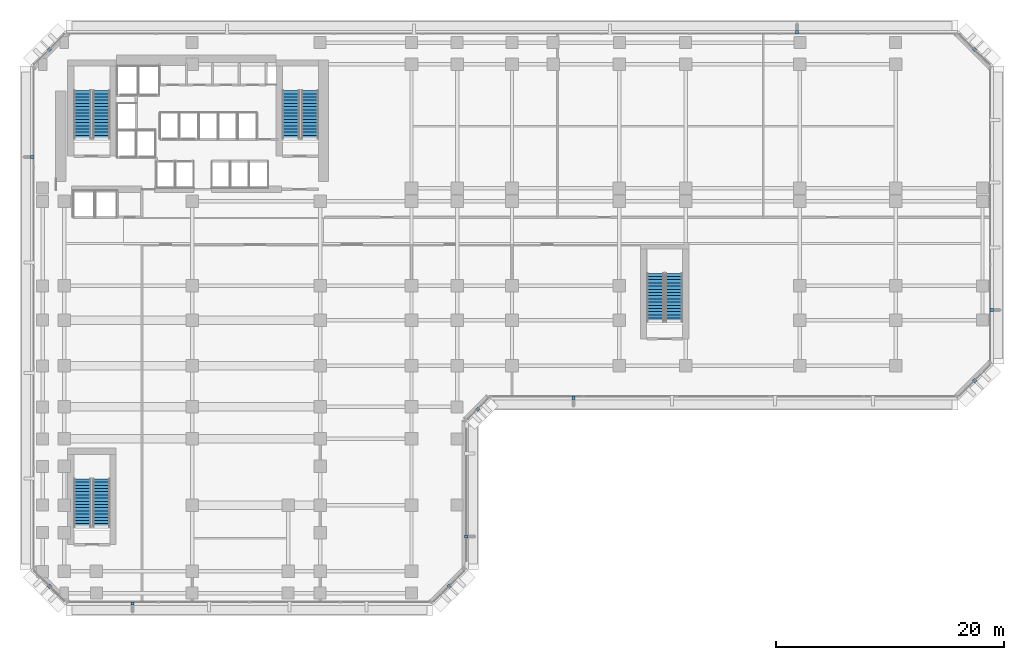
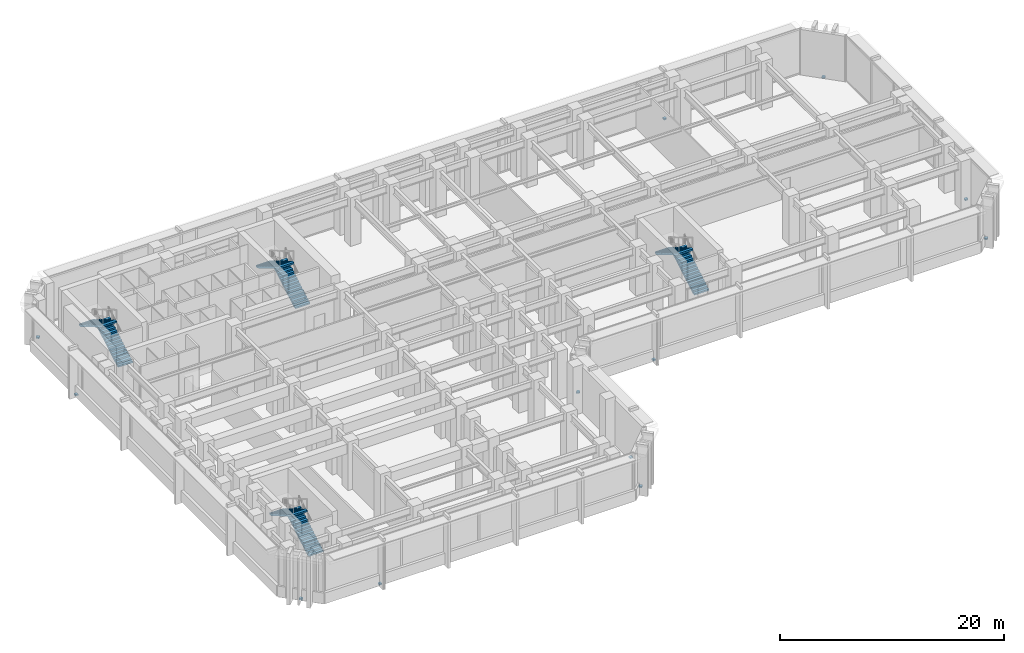
# One storey, part 12 of 20: 12 discrete accessories, 8 stair flights, 4 elements without a shape of their own.
"""IFC4 building model written with IfcOpenShell, lengths in metres."""

from ifc_helpers import new_model, si_unit, direction, frame, origin, origin_2d, place, context, subcontext, project, spatial, polyline, rectangle, outline, extrude, material, layer, layer_set, type_object, element, aggregate, save


model = new_model("IFC4")

# Units and contexts
model_context = context("Model", 3, precision=1e-05, world=origin(), true_north=direction((0.0, 1.0)))
body_context = subcontext(model_context, "Body", "Model", "MODEL_VIEW")
ifc_project = project(units=[si_unit("LENGTHUNIT", "METRE"), si_unit("AREAUNIT", "SQUARE_METRE"), si_unit("VOLUMEUNIT", "CUBIC_METRE"), si_unit("PLANEANGLEUNIT", "RADIAN"), si_unit("MASSUNIT", "GRAM", prefix="KILO")], contexts=[model_context])

# Site, building, storey
site_placement = place(None, origin())
site = spatial("IfcSite", under=ifc_project, at=site_placement, CompositionType="ELEMENT")
building_placement = place(site_placement, origin())
building = spatial("IfcBuilding", under=site, at=building_placement, Name="Kefirva Bronze Tower", CompositionType="ELEMENT")
storey_placement = place(building_placement, frame((0.0, 0.0, 5.93994140625)))
storey = spatial("IfcBuildingStorey", under=building, at=storey_placement, Name="L01", CompositionType="ELEMENT", Elevation=5.93994140625)

# Stair, stair flights
ifc_material_1 = material(Name="Concrete C40/50", Category="concrete")
stair_type = type_object("IfcStairType", Name="RC Dogleg Protected Stair 32R", PredefinedType="HALF_TURN_STAIR", material=ifc_material_1)
stair_1_placement = place(storey_placement, origin())
stair_1 = element("IfcStair", 1, at=stair_1_placement, inside=storey, type_object=stair_type, Name="L01 Protected Exit Stair 1", PredefinedType="HALF_TURN_STAIR")
stair_flight_type = type_object("IfcStairFlightType", Name="RC Straight Stair Flight 32R", PredefinedType="STRAIGHT", material=ifc_material_1)
stair_flight_1_placement = place(storey_placement, frame((4.050048828125, 38.699951171875, 0.0), z_axis=(0.0, 0.0, 1.0), x_axis=(0.0, 1.0, 0.0)))
stair_flight_1 = element("IfcStairFlight", 2, at=stair_flight_1_placement, type_object=stair_flight_type, Name="ST-1 flight 1", NumberOfRisers=16, NumberOfTreads=15, PredefinedType="STRAIGHT", RiserHeight=0.165, TreadLength=0.28, context=body_context, shape_type="SweptSolid", body=[
    extrude(outline(polyline([(0.0, 0.0), (0.0, 0.1650390625), (0.280029296875, 0.1650390625), (0.280029296875, 0.330078125), (0.56005859375, 0.330078125), (0.56005859375, 0.4951171875), (0.840087890625, 0.4951171875), (0.840087890625, 0.659912109375), (1.1201171875, 0.659912109375), (1.1201171875, 0.824951171875), (1.39990234375, 0.824951171875), (1.39990234375, 0.989990234375), (1.679931640625, 0.989990234375), (1.679931640625, 1.155029296875), (1.9599609375, 1.155029296875), (1.9599609375, 1.320068359375), (2.239990234375, 1.320068359375), (2.239990234375, 1.485107421875), (2.52001953125, 1.485107421875), (2.52001953125, 1.64990234375), (2.800048828125, 1.64990234375), (2.800048828125, 1.81494140625), (3.080078125, 1.81494140625), (3.080078125, 1.97998046875), (3.360107421875, 1.97998046875), (3.360107421875, 2.14501953125), (3.639892578125, 2.14501953125), (3.639892578125, 2.31005859375), (3.919921875, 2.31005859375), (3.919921875, 2.47509765625), (4.199951171875, 2.47509765625), (4.199951171875, 2.639892578125), (4.199951171875, 2.301025390625), (0.295166015625, 0.0), (0.0, 0.0)])), frame((0.0, 0.75, 0.0), z_axis=(0.0, -1.0, 0.0), x_axis=(1.0, 0.0, 0.0)), (0.0, 0.0, 1.0), 1.5),
])
stair_flight_2_placement = place(storey_placement, frame((2.39990234375, 42.89990234375, 2.64013671875), z_axis=(0.0, 0.0, 1.0), x_axis=(0.0, -1.0, 0.0)))
stair_flight_2 = element("IfcStairFlight", 3, at=stair_flight_2_placement, type_object=stair_flight_type, Name="ST-1 flight 2", NumberOfRisers=16, NumberOfTreads=15, PredefinedType="STRAIGHT", RiserHeight=0.165, TreadLength=0.28, context=body_context, shape_type="SweptSolid", body=[
    extrude(outline(polyline([(0.0, 0.0), (0.0, 0.1650390625), (0.280029296875, 0.1650390625), (0.280029296875, 0.330078125), (0.56005859375, 0.330078125), (0.56005859375, 0.4951171875), (0.840087890625, 0.4951171875), (0.840087890625, 0.659912109375), (1.1201171875, 0.659912109375), (1.1201171875, 0.824951171875), (1.39990234375, 0.824951171875), (1.39990234375, 0.989990234375), (1.679931640625, 0.989990234375), (1.679931640625, 1.155029296875), (1.9599609375, 1.155029296875), (1.9599609375, 1.320068359375), (2.239990234375, 1.320068359375), (2.239990234375, 1.485107421875), (2.52001953125, 1.485107421875), (2.52001953125, 1.64990234375), (2.800048828125, 1.64990234375), (2.800048828125, 1.81494140625), (3.080078125, 1.81494140625), (3.080078125, 1.97998046875), (3.360107421875, 1.97998046875), (3.360107421875, 2.14501953125), (3.639892578125, 2.14501953125), (3.639892578125, 2.31005859375), (3.919921875, 2.31005859375), (3.919921875, 2.47509765625), (4.199951171875, 2.47509765625), (4.199951171875, 2.639892578125), (4.199951171875, 2.301025390625), (0.295166015625, 0.0), (0.0, 0.0)])), frame((0.0, 0.75, 0.0), z_axis=(0.0, -1.0, 0.0), x_axis=(1.0, 0.0, 0.0)), (0.0, 0.0, 1.0), 1.5),
])
aggregate(stair_1, [stair_flight_1, stair_flight_2])

stair_2_placement = place(storey_placement, origin())
stair_2 = element("IfcStair", 4, at=stair_2_placement, inside=storey, type_object=stair_type, Name="L01 Protected Exit Stair 2", PredefinedType="HALF_TURN_STAIR")
stair_flight_3_placement = place(storey_placement, frame((22.300048828125, 38.699951171875, 0.0), z_axis=(0.0, 0.0, 1.0), x_axis=(0.0, 1.0, 0.0)))
stair_flight_3 = element("IfcStairFlight", 5, at=stair_flight_3_placement, type_object=stair_flight_type, Name="ST-2 flight 1", NumberOfRisers=16, NumberOfTreads=15, PredefinedType="STRAIGHT", RiserHeight=0.165, TreadLength=0.28, context=body_context, shape_type="SweptSolid", body=[
    extrude(outline(polyline([(0.0, 0.0), (0.0, 0.1650390625), (0.280029296875, 0.1650390625), (0.280029296875, 0.330078125), (0.56005859375, 0.330078125), (0.56005859375, 0.4951171875), (0.840087890625, 0.4951171875), (0.840087890625, 0.659912109375), (1.1201171875, 0.659912109375), (1.1201171875, 0.824951171875), (1.39990234375, 0.824951171875), (1.39990234375, 0.989990234375), (1.679931640625, 0.989990234375), (1.679931640625, 1.155029296875), (1.9599609375, 1.155029296875), (1.9599609375, 1.320068359375), (2.239990234375, 1.320068359375), (2.239990234375, 1.485107421875), (2.52001953125, 1.485107421875), (2.52001953125, 1.64990234375), (2.800048828125, 1.64990234375), (2.800048828125, 1.81494140625), (3.080078125, 1.81494140625), (3.080078125, 1.97998046875), (3.360107421875, 1.97998046875), (3.360107421875, 2.14501953125), (3.639892578125, 2.14501953125), (3.639892578125, 2.31005859375), (3.919921875, 2.31005859375), (3.919921875, 2.47509765625), (4.199951171875, 2.47509765625), (4.199951171875, 2.639892578125), (4.199951171875, 2.301025390625), (0.295166015625, 0.0), (0.0, 0.0)])), frame((0.0, 0.75, 0.0), z_axis=(0.0, -1.0, 0.0), x_axis=(1.0, 0.0, 0.0)), (0.0, 0.0, 1.0), 1.5),
])
stair_flight_4_placement = place(storey_placement, frame((20.64990234375, 42.89990234375, 2.64013671875), z_axis=(0.0, 0.0, 1.0), x_axis=(0.0, -1.0, 0.0)))
stair_flight_4 = element("IfcStairFlight", 6, at=stair_flight_4_placement, type_object=stair_flight_type, Name="ST-2 flight 2", NumberOfRisers=16, NumberOfTreads=15, PredefinedType="STRAIGHT", RiserHeight=0.165, TreadLength=0.28, context=body_context, shape_type="SweptSolid", body=[
    extrude(outline(polyline([(0.0, 0.0), (0.0, 0.1650390625), (0.280029296875, 0.1650390625), (0.280029296875, 0.330078125), (0.56005859375, 0.330078125), (0.56005859375, 0.4951171875), (0.840087890625, 0.4951171875), (0.840087890625, 0.659912109375), (1.1201171875, 0.659912109375), (1.1201171875, 0.824951171875), (1.39990234375, 0.824951171875), (1.39990234375, 0.989990234375), (1.679931640625, 0.989990234375), (1.679931640625, 1.155029296875), (1.9599609375, 1.155029296875), (1.9599609375, 1.320068359375), (2.239990234375, 1.320068359375), (2.239990234375, 1.485107421875), (2.52001953125, 1.485107421875), (2.52001953125, 1.64990234375), (2.800048828125, 1.64990234375), (2.800048828125, 1.81494140625), (3.080078125, 1.81494140625), (3.080078125, 1.97998046875), (3.360107421875, 1.97998046875), (3.360107421875, 2.14501953125), (3.639892578125, 2.14501953125), (3.639892578125, 2.31005859375), (3.919921875, 2.31005859375), (3.919921875, 2.47509765625), (4.199951171875, 2.47509765625), (4.199951171875, 2.639892578125), (4.199951171875, 2.301025390625), (0.295166015625, 0.0), (0.0, 0.0)])), frame((0.0, 0.75, 0.0), z_axis=(0.0, -1.0, 0.0), x_axis=(1.0, 0.0, 0.0)), (0.0, 0.0, 1.0), 1.5),
])
aggregate(stair_2, [stair_flight_3, stair_flight_4])

stair_3_placement = place(storey_placement, origin())
stair_3 = element("IfcStair", 7, at=stair_3_placement, inside=storey, type_object=stair_type, Name="L01 Podium Exit Stair 3", PredefinedType="HALF_TURN_STAIR")
stair_flight_5_placement = place(storey_placement, frame((4.050048828125, 4.699951171875, 0.0), z_axis=(0.0, 0.0, 1.0), x_axis=(0.0, 1.0, 0.0)))
stair_flight_5 = element("IfcStairFlight", 8, at=stair_flight_5_placement, type_object=stair_flight_type, Name="ST-3 flight 1", NumberOfRisers=16, NumberOfTreads=15, PredefinedType="STRAIGHT", RiserHeight=0.165, TreadLength=0.28, context=body_context, shape_type="SweptSolid", body=[
    extrude(outline(polyline([(0.0, 0.0), (0.0, 0.1650390625), (0.280029296875, 0.1650390625), (0.280029296875, 0.330078125), (0.56005859375, 0.330078125), (0.56005859375, 0.4951171875), (0.840087890625, 0.4951171875), (0.840087890625, 0.659912109375), (1.1201171875, 0.659912109375), (1.1201171875, 0.824951171875), (1.39990234375, 0.824951171875), (1.39990234375, 0.989990234375), (1.679931640625, 0.989990234375), (1.679931640625, 1.155029296875), (1.9599609375, 1.155029296875), (1.9599609375, 1.320068359375), (2.239990234375, 1.320068359375), (2.239990234375, 1.485107421875), (2.52001953125, 1.485107421875), (2.52001953125, 1.64990234375), (2.800048828125, 1.64990234375), (2.800048828125, 1.81494140625), (3.080078125, 1.81494140625), (3.080078125, 1.97998046875), (3.360107421875, 1.97998046875), (3.360107421875, 2.14501953125), (3.639892578125, 2.14501953125), (3.639892578125, 2.31005859375), (3.919921875, 2.31005859375), (3.919921875, 2.47509765625), (4.199951171875, 2.47509765625), (4.199951171875, 2.639892578125), (4.199951171875, 2.301025390625), (0.295166015625, 0.0), (0.0, 0.0)])), frame((0.0, 0.75, 0.0), z_axis=(0.0, -1.0, 0.0), x_axis=(1.0, 0.0, 0.0)), (0.0, 0.0, 1.0), 1.5),
])
stair_flight_6_placement = place(storey_placement, frame((2.39990234375, 8.89990234375, 2.64013671875), z_axis=(0.0, 0.0, 1.0), x_axis=(0.0, -1.0, 0.0)))
stair_flight_6 = element("IfcStairFlight", 9, at=stair_flight_6_placement, type_object=stair_flight_type, Name="ST-3 flight 2", NumberOfRisers=16, NumberOfTreads=15, PredefinedType="STRAIGHT", RiserHeight=0.165, TreadLength=0.28, context=body_context, shape_type="SweptSolid", body=[
    extrude(outline(polyline([(0.0, 0.0), (0.0, 0.1650390625), (0.280029296875, 0.1650390625), (0.280029296875, 0.330078125), (0.56005859375, 0.330078125), (0.56005859375, 0.4951171875), (0.840087890625, 0.4951171875), (0.840087890625, 0.659912109375), (1.1201171875, 0.659912109375), (1.1201171875, 0.824951171875), (1.39990234375, 0.824951171875), (1.39990234375, 0.989990234375), (1.679931640625, 0.989990234375), (1.679931640625, 1.155029296875), (1.9599609375, 1.155029296875), (1.9599609375, 1.320068359375), (2.239990234375, 1.320068359375), (2.239990234375, 1.485107421875), (2.52001953125, 1.485107421875), (2.52001953125, 1.64990234375), (2.800048828125, 1.64990234375), (2.800048828125, 1.81494140625), (3.080078125, 1.81494140625), (3.080078125, 1.97998046875), (3.360107421875, 1.97998046875), (3.360107421875, 2.14501953125), (3.639892578125, 2.14501953125), (3.639892578125, 2.31005859375), (3.919921875, 2.31005859375), (3.919921875, 2.47509765625), (4.199951171875, 2.47509765625), (4.199951171875, 2.639892578125), (4.199951171875, 2.301025390625), (0.295166015625, 0.0), (0.0, 0.0)])), frame((0.0, 0.75, 0.0), z_axis=(0.0, -1.0, 0.0), x_axis=(1.0, 0.0, 0.0)), (0.0, 0.0, 1.0), 1.5),
])
aggregate(stair_3, [stair_flight_5, stair_flight_6])

stair_4_placement = place(storey_placement, origin())
stair_4 = element("IfcStair", 10, at=stair_4_placement, inside=storey, type_object=stair_type, Name="L01 Podium Exit Stair 4", PredefinedType="HALF_TURN_STAIR")
stair_flight_7_placement = place(storey_placement, frame((54.199951171875, 22.699951171875, 0.0), z_axis=(0.0, 0.0, 1.0), x_axis=(0.0, 1.0, 0.0)))
stair_flight_7 = element("IfcStairFlight", 11, at=stair_flight_7_placement, type_object=stair_flight_type, Name="ST-4 flight 1", NumberOfRisers=16, NumberOfTreads=15, PredefinedType="STRAIGHT", RiserHeight=0.165, TreadLength=0.28, context=body_context, shape_type="SweptSolid", body=[
    extrude(outline(polyline([(0.0, 0.0), (0.0, 0.1650390625), (0.280029296875, 0.1650390625), (0.280029296875, 0.330078125), (0.56005859375, 0.330078125), (0.56005859375, 0.4951171875), (0.840087890625, 0.4951171875), (0.840087890625, 0.659912109375), (1.1201171875, 0.659912109375), (1.1201171875, 0.824951171875), (1.39990234375, 0.824951171875), (1.39990234375, 0.989990234375), (1.679931640625, 0.989990234375), (1.679931640625, 1.155029296875), (1.9599609375, 1.155029296875), (1.9599609375, 1.320068359375), (2.239990234375, 1.320068359375), (2.239990234375, 1.485107421875), (2.52001953125, 1.485107421875), (2.52001953125, 1.64990234375), (2.800048828125, 1.64990234375), (2.800048828125, 1.81494140625), (3.080078125, 1.81494140625), (3.080078125, 1.97998046875), (3.360107421875, 1.97998046875), (3.360107421875, 2.14501953125), (3.639892578125, 2.14501953125), (3.639892578125, 2.31005859375), (3.919921875, 2.31005859375), (3.919921875, 2.47509765625), (4.199951171875, 2.47509765625), (4.199951171875, 2.639892578125), (4.199951171875, 2.301025390625), (0.295166015625, 0.0), (0.0, 0.0)])), frame((0.0, 0.75, 0.0), z_axis=(0.0, -1.0, 0.0), x_axis=(1.0, 0.0, 0.0)), (0.0, 0.0, 1.0), 1.5),
])
stair_flight_8_placement = place(storey_placement, frame((52.550048828125, 26.89990234375, 2.64013671875), z_axis=(0.0, 0.0, 1.0), x_axis=(0.0, -1.0, 0.0)))
stair_flight_8 = element("IfcStairFlight", 12, at=stair_flight_8_placement, type_object=stair_flight_type, Name="ST-4 flight 2", NumberOfRisers=16, NumberOfTreads=15, PredefinedType="STRAIGHT", RiserHeight=0.165, TreadLength=0.28, context=body_context, shape_type="SweptSolid", body=[
    extrude(outline(polyline([(0.0, 0.0), (0.0, 0.1650390625), (0.280029296875, 0.1650390625), (0.280029296875, 0.330078125), (0.56005859375, 0.330078125), (0.56005859375, 0.4951171875), (0.840087890625, 0.4951171875), (0.840087890625, 0.659912109375), (1.1201171875, 0.659912109375), (1.1201171875, 0.824951171875), (1.39990234375, 0.824951171875), (1.39990234375, 0.989990234375), (1.679931640625, 0.989990234375), (1.679931640625, 1.155029296875), (1.9599609375, 1.155029296875), (1.9599609375, 1.320068359375), (2.239990234375, 1.320068359375), (2.239990234375, 1.485107421875), (2.52001953125, 1.485107421875), (2.52001953125, 1.64990234375), (2.800048828125, 1.64990234375), (2.800048828125, 1.81494140625), (3.080078125, 1.81494140625), (3.080078125, 1.97998046875), (3.360107421875, 1.97998046875), (3.360107421875, 2.14501953125), (3.639892578125, 2.14501953125), (3.639892578125, 2.31005859375), (3.919921875, 2.31005859375), (3.919921875, 2.47509765625), (4.199951171875, 2.47509765625), (4.199951171875, 2.639892578125), (4.199951171875, 2.301025390625), (0.295166015625, 0.0), (0.0, 0.0)])), frame((0.0, 0.75, 0.0), z_axis=(0.0, -1.0, 0.0), x_axis=(1.0, 0.0, 0.0)), (0.0, 0.0, 1.0), 1.5),
])
aggregate(stair_4, [stair_flight_7, stair_flight_8])

# Discrete accessories
ifc_material_2 = material(Name="Stainless steel 316", Category="steel")
ifc_layer = layer(ifc_material_2, 0.159912109375, Name="Stainless steel 316")
ifc_layer_set = layer_set([ifc_layer], Name="Stainless steel 316")
discrete_accessory_type = type_object("IfcDiscreteAccessoryType", Name="Stainless Facade Outrigger Bracket", PredefinedType="BRACKET", material=ifc_layer_set)
discrete_accessory_1_placement = place(storey_placement, frame((6.760009765625, -2.0, -0.15966796875), z_axis=(0.0, 0.0, 1.0), x_axis=(1.0, 0.0, 0.0)))
element("IfcDiscreteAccessory", 13, at=discrete_accessory_1_placement, inside=storey, type_object=discrete_accessory_type, Name="L01 Rib Outrigger Bracket 1", PredefinedType="BRACKET", context=body_context, shape_type="SweptSolid", body=[
    extrude(rectangle(XDim=0.280029296875, YDim=0.280029296875, at=origin_2d()), origin(), (0.0, 0.0, 1.0), 0.159912109375),
])
discrete_accessory_2_placement = place(storey_placement, frame((34.5, -0.5, -0.15966796875), z_axis=(0.0, 0.0, 1.0), x_axis=(0.707106781187, 0.707106781187, 0.0)))
element("IfcDiscreteAccessory", 14, at=discrete_accessory_2_placement, inside=storey, type_object=discrete_accessory_type, Name="L01 Corner Fin Outrigger Bracket 6", PredefinedType="BRACKET", context=body_context, shape_type="SweptSolid", body=[
    extrude(rectangle(XDim=0.300048828125, YDim=0.300048828125, at=origin_2d()), origin(), (0.0, 0.0, 1.0), 0.159912109375),
])
discrete_accessory_3_placement = place(storey_placement, frame((36.0, 3.860107421875, -0.15966796875), z_axis=(0.0, 0.0, 1.0), x_axis=(0.0, 1.0, 0.0)))
element("IfcDiscreteAccessory", 15, at=discrete_accessory_3_placement, inside=storey, type_object=discrete_accessory_type, Name="L01 Rib Outrigger Bracket 7", PredefinedType="BRACKET", context=body_context, shape_type="SweptSolid", body=[
    extrude(rectangle(XDim=0.280029296875, YDim=0.280029296875, at=origin_2d()), origin(), (0.0, 0.0, 1.0), 0.159912109375),
])
discrete_accessory_4_placement = place(storey_placement, frame((37.0, 15.0, -0.15966796875), z_axis=(0.0, 0.0, 1.0), x_axis=(0.707106781187, 0.707106781187, 0.0)))
element("IfcDiscreteAccessory", 16, at=discrete_accessory_4_placement, inside=storey, type_object=discrete_accessory_type, Name="L01 Corner Fin Outrigger Bracket 10", PredefinedType="BRACKET", context=body_context, shape_type="SweptSolid", body=[
    extrude(rectangle(XDim=0.300048828125, YDim=0.300048828125, at=origin_2d()), origin(), (0.0, 0.0, 1.0), 0.159912109375),
])
discrete_accessory_5_placement = place(storey_placement, frame((45.3798828125, 16.0, -0.15966796875), z_axis=(0.0, 0.0, 1.0), x_axis=(1.0, 0.0, 0.0)))
element("IfcDiscreteAccessory", 17, at=discrete_accessory_5_placement, inside=storey, type_object=discrete_accessory_type, Name="L01 Rib Outrigger Bracket 11", PredefinedType="BRACKET", context=body_context, shape_type="SweptSolid", body=[
    extrude(rectangle(XDim=0.280029296875, YDim=0.280029296875, at=origin_2d()), origin(), (0.0, 0.0, 1.0), 0.159912109375),
])
discrete_accessory_6_placement = place(storey_placement, frame((80.5, 17.5, -0.15966796875), z_axis=(0.0, 0.0, 1.0), x_axis=(0.707106781187, 0.707106781187, 0.0)))
element("IfcDiscreteAccessory", 18, at=discrete_accessory_6_placement, inside=storey, type_object=discrete_accessory_type, Name="L01 Corner Fin Outrigger Bracket 16", PredefinedType="BRACKET", context=body_context, shape_type="SweptSolid", body=[
    extrude(rectangle(XDim=0.300048828125, YDim=0.300048828125, at=origin_2d()), origin(), (0.0, 0.0, 1.0), 0.159912109375),
])
discrete_accessory_7_placement = place(storey_placement, frame((82.0, 23.679931640625, -0.15966796875), z_axis=(0.0, 0.0, 1.0), x_axis=(0.0, 1.0, 0.0)))
element("IfcDiscreteAccessory", 19, at=discrete_accessory_7_placement, inside=storey, type_object=discrete_accessory_type, Name="L01 Rib Outrigger Bracket 17", PredefinedType="BRACKET", context=body_context, shape_type="SweptSolid", body=[
    extrude(rectangle(XDim=0.280029296875, YDim=0.280029296875, at=origin_2d()), origin(), (0.0, 0.0, 1.0), 0.159912109375),
])
discrete_accessory_8_placement = place(storey_placement, frame((80.5, 46.5, -0.15966796875), z_axis=(0.0, 0.0, 1.0), x_axis=(-0.707106781187, 0.707106781187, 0.0)))
element("IfcDiscreteAccessory", 20, at=discrete_accessory_8_placement, inside=storey, type_object=discrete_accessory_type, Name="L01 Corner Fin Outrigger Bracket 22", PredefinedType="BRACKET", context=body_context, shape_type="SweptSolid", body=[
    extrude(rectangle(XDim=0.300048828125, YDim=0.300048828125, at=origin_2d()), origin(), (0.0, 0.0, 1.0), 0.159912109375),
])
discrete_accessory_9_placement = place(storey_placement, frame((64.9599609375, 48.0, -0.15966796875), z_axis=(0.0, 0.0, 1.0), x_axis=(-1.0, 0.0, 0.0)))
element("IfcDiscreteAccessory", 21, at=discrete_accessory_9_placement, inside=storey, type_object=discrete_accessory_type, Name="L01 Rib Outrigger Bracket 23", PredefinedType="BRACKET", context=body_context, shape_type="SweptSolid", body=[
    extrude(rectangle(XDim=0.280029296875, YDim=0.280029296875, at=origin_2d()), origin(), (0.0, 0.0, 1.0), 0.159912109375),
])
discrete_accessory_10_placement = place(storey_placement, frame((-0.5, 46.5, -0.15966796875), z_axis=(0.0, 0.0, 1.0), x_axis=(-0.707106781187, -0.707106781187, 0.0)))
element("IfcDiscreteAccessory", 22, at=discrete_accessory_10_placement, inside=storey, type_object=discrete_accessory_type, Name="L01 Corner Fin Outrigger Bracket 28", PredefinedType="BRACKET", context=body_context, shape_type="SweptSolid", body=[
    extrude(rectangle(XDim=0.300048828125, YDim=0.300048828125, at=origin_2d()), origin(), (0.0, 0.0, 1.0), 0.159912109375),
])
discrete_accessory_11_placement = place(storey_placement, frame((-2.0, 37.080078125, -0.15966796875), z_axis=(0.0, 0.0, 1.0), x_axis=(0.0, -1.0, 0.0)))
element("IfcDiscreteAccessory", 23, at=discrete_accessory_11_placement, inside=storey, type_object=discrete_accessory_type, Name="L01 Rib Outrigger Bracket 29", PredefinedType="BRACKET", context=body_context, shape_type="SweptSolid", body=[
    extrude(rectangle(XDim=0.280029296875, YDim=0.280029296875, at=origin_2d()), origin(), (0.0, 0.0, 1.0), 0.159912109375),
])
discrete_accessory_12_placement = place(storey_placement, frame((-0.5, -0.5, -0.15966796875), z_axis=(0.0, 0.0, 1.0), x_axis=(0.707106781187, -0.707106781187, 0.0)))
element("IfcDiscreteAccessory", 24, at=discrete_accessory_12_placement, inside=storey, type_object=discrete_accessory_type, Name="L01 Corner Fin Outrigger Bracket 34", PredefinedType="BRACKET", context=body_context, shape_type="SweptSolid", body=[
    extrude(rectangle(XDim=0.300048828125, YDim=0.300048828125, at=origin_2d()), origin(), (0.0, 0.0, 1.0), 0.159912109375),
])

save(model, "model.ifc")
